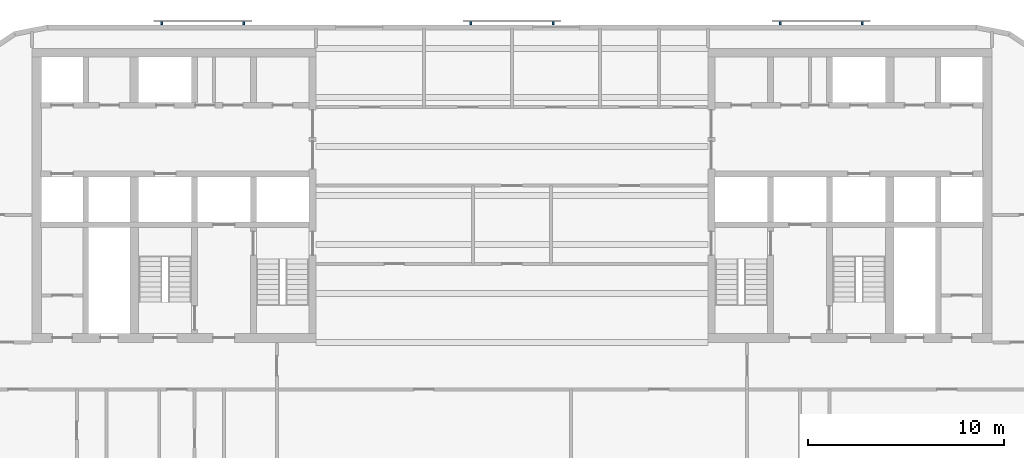
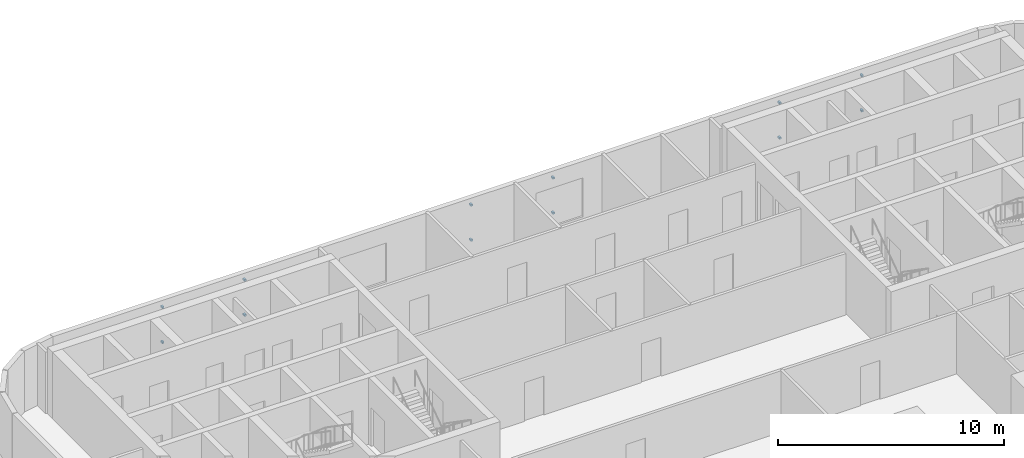
# One storey, part 8 of 11: 12 discrete accessories.
"""IFC4 building model written with IfcOpenShell, lengths in metres."""

from ifc_helpers import new_model, si_unit, direction, frame, origin, origin_2d, place, context, subcontext, project, spatial, rectangle, extrude, material, type_object, element, save


model = new_model("IFC4")

# Units and contexts
model_context = context("Model", 3, precision=1e-05, world=origin(), true_north=direction((0.0, 1.0)))
body_context = subcontext(model_context, "Body", "Model", "MODEL_VIEW")
ifc_project = project(units=[si_unit("LENGTHUNIT", "METRE"), si_unit("AREAUNIT", "SQUARE_METRE"), si_unit("VOLUMEUNIT", "CUBIC_METRE"), si_unit("PLANEANGLEUNIT", "RADIAN"), si_unit("MASSUNIT", "GRAM", prefix="KILO")], contexts=[model_context])

# Site, building, storey
site_placement = place(None, origin())
site = spatial("IfcSite", under=ifc_project, at=site_placement, CompositionType="ELEMENT")
building_placement = place(site_placement, origin())
building = spatial("IfcBuilding", under=site, at=building_placement, Name="Torana Hotel and Residences", CompositionType="ELEMENT")
storey_placement = place(building_placement, frame((0.0, 0.0, 174.0)))
storey = spatial("IfcBuildingStorey", under=building, at=storey_placement, Name="L45", CompositionType="ELEMENT", Elevation=174.0)

# Discrete accessories
ifc_material = material(Name="Steel S355", Category="steel")
discrete_accessory_type = type_object("IfcDiscreteAccessoryType", Name="SCREEN BRACKET 100", PredefinedType="BRACKET", material=ifc_material)
for number, where, z_axis, x_axis, name in (
    (1, (17.883544921875, 1.27490234375, 0.75), (0.0, 0.0, 1.0), (-1.0, 0.0, 0.0), "Screen bracket L45"),
    (2, (17.883544921875, 1.27490234375, 2.64990234375), (0.0, 0.0, 1.0), (-1.0, 0.0, 0.0), "Screen bracket L45"),
    (3, (13.68359375, 1.27490234375, 0.75), (0.0, 0.0, 1.0), (-1.0, 0.0, 0.0), "Screen bracket L45"),
    (4, (13.68359375, 1.27490234375, 2.64990234375), (0.0, 0.0, 1.0), (-1.0, 0.0, 0.0), "Screen bracket L45"),
    (5, (2.10009765625, 1.27490234375, 0.75), (0.0, 0.0, 1.0), (-1.0, 0.0, 0.0), "Screen bracket L45"),
    (6, (2.10009765625, 1.27490234375, 2.64990234375), (0.0, 0.0, 1.0), (-1.0, 0.0, 0.0), "Screen bracket L45"),
    (7, (-2.10009765625, 1.27490234375, 0.75), (0.0, 0.0, 1.0), (-1.0, 0.0, 0.0), "Screen bracket L45"),
    (8, (-2.10009765625, 1.27490234375, 2.64990234375), (0.0, 0.0, 1.0), (-1.0, 0.0, 0.0), "Screen bracket L45"),
    (9, (-13.68359375, 1.27490234375, 0.75), (0.0, 0.0, 1.0), (-1.0, 0.0, 0.0), "Screen bracket L45"),
    (10, (-13.68359375, 1.27490234375, 2.64990234375), (0.0, 0.0, 1.0), (-1.0, 0.0, 0.0), "Screen bracket L45"),
    (11, (-17.883544921875, 1.27490234375, 0.75), (0.0, 0.0, 1.0), (-1.0, 0.0, 0.0), "Screen bracket L45"),
    (12, (-17.883544921875, 1.27490234375, 2.64990234375), (0.0, 0.0, 1.0), (-1.0, 0.0, 0.0), "Screen bracket L45"),
):
    element("IfcDiscreteAccessory", number, at=place(storey_placement, frame(where, z_axis=z_axis, x_axis=x_axis)), inside=storey, type_object=discrete_accessory_type, Name=name, PredefinedType="BRACKET", context=body_context, shape_type="SweptSolid", body=[
        extrude(rectangle(XDim=0.10009765625, YDim=0.14990234375, at=origin_2d()), origin(), (0.0, 0.0, 1.0), 0.10009765625),
    ])

save(model, "model.ifc")
